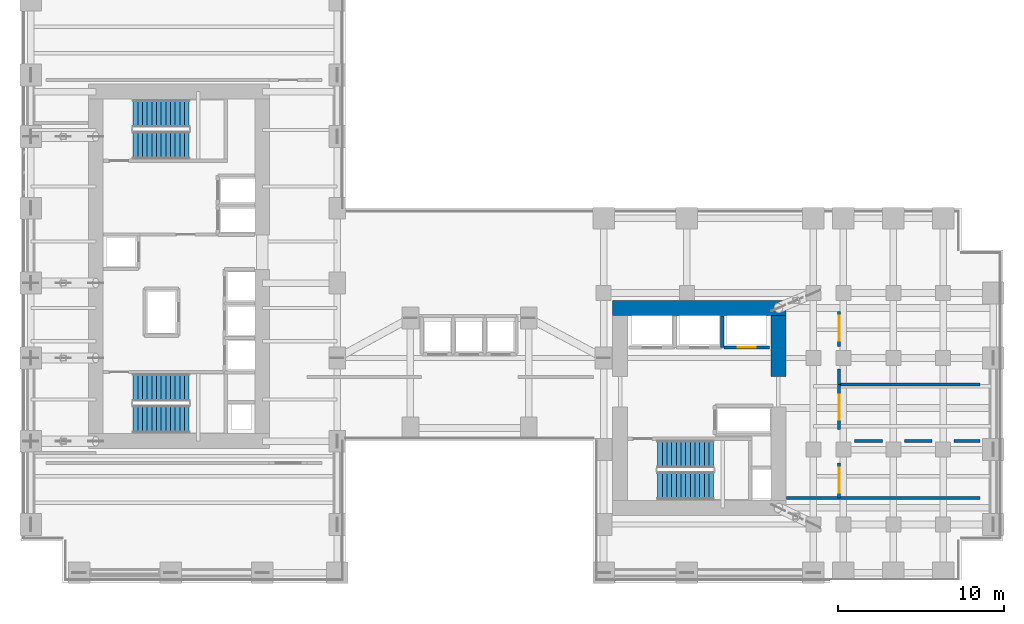
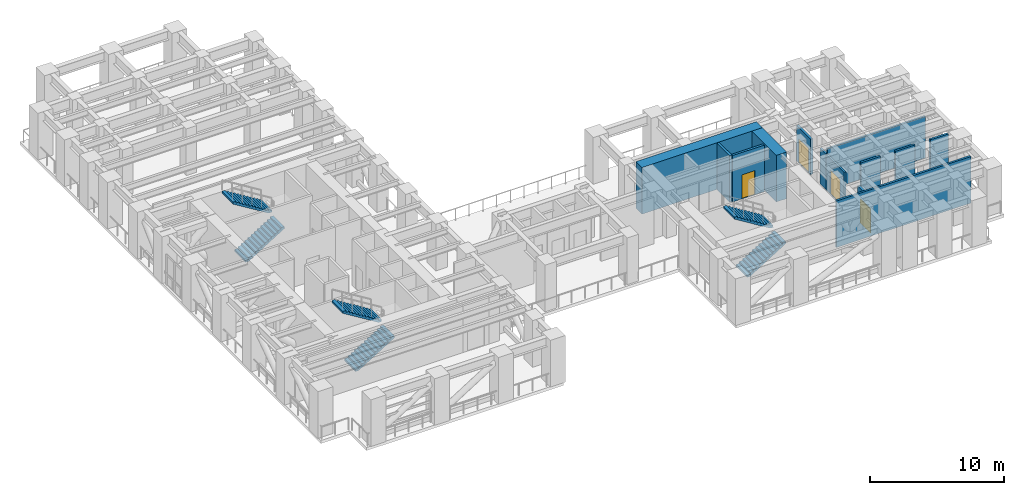
# One storey, part 11 of 16: 13 walls, 6 stair flights, 4 doors, 4 openings, 3 elements without a shape of their own.
"""IFC4 building model written with IfcOpenShell, lengths in metres."""

from ifc_helpers import new_model, si_unit, direction, frame, frame_2d, origin, place, context, subcontext, project, spatial, polyline, rectangle, outline, extrude, source, transform, mapped, material, layer, layer_set, type_object, element, fill, aggregate, save


model = new_model("IFC4")

# Units and contexts
model_context = context("Model", 3, precision=1e-05, world=origin(), true_north=direction((0.0, 1.0)))
body_context = subcontext(model_context, "Body", "Model", "MODEL_VIEW")
ifc_project = project(units=[si_unit("LENGTHUNIT", "METRE"), si_unit("AREAUNIT", "SQUARE_METRE"), si_unit("VOLUMEUNIT", "CUBIC_METRE"), si_unit("PLANEANGLEUNIT", "RADIAN"), si_unit("MASSUNIT", "GRAM", prefix="KILO")], contexts=[model_context])

# Site, building, storey
site_placement = place(None, origin())
site = spatial("IfcSite", under=ifc_project, at=site_placement, CompositionType="ELEMENT")
building_placement = place(site_placement, origin())
building = spatial("IfcBuilding", under=site, at=building_placement, Name="Kharzan Plaza Tower", CompositionType="ELEMENT")
storey_placement = place(building_placement, frame((0.0, 0.0, 72.89990234375)))
storey = spatial("IfcBuildingStorey", under=building, at=storey_placement, Name="L19", CompositionType="ELEMENT", Elevation=72.89990234375)

# Wall, opening, door
ifc_material_1 = material(Name="Concrete C40/50", Category="concrete")
ifc_layer_1 = layer(ifc_material_1, 0.179931640625)
ifc_layer_set_1 = layer_set([ifc_layer_1], Name="Concrete C40/50")
wall_type_1 = type_object("IfcWallType", Name="WL-INT-FIRE-180", PredefinedType="PARTITIONING", material=ifc_layer_set_1)
wall_1_placement = place(storey_placement, frame((49.14990234375, 9.199951171875, 0.0), z_axis=(0.0, 0.0, 1.0), x_axis=(0.0, 1.0, 0.0)))
wall_1 = element("IfcWall", 1, at=wall_1_placement, inside=storey, type_object=wall_type_1, Name="L19 Interior Partition MR-BMS", PredefinedType="PARTITIONING", context=body_context, shape_type="SweptSolid", body=[
    extrude(rectangle(XDim=2.699951171875, YDim=0.179931640625, at=frame_2d((1.35009765625, 0.0))), origin(), (0.0, 0.0, 1.0), 3.2451171875),
])
opening_1_placement = place(wall_1_placement, frame((0.60009765625, 0.0, 0.0)))
opening_1 = element("IfcOpeningElement", 2, at=opening_1_placement, cuts=wall_1, Name="Opening PD1", PredefinedType="OPENING", context=body_context, shape_type="SweptSolid", body=[
    extrude(rectangle(XDim=1.5, YDim=2.199951171875, at=frame_2d((0.75, 1.10009765625))), frame((0.0, 0.099853515625, 0.0), z_axis=(0.0, -1.0, 0.0), x_axis=(1.0, 0.0, 0.0)), (0.0, 0.0, 1.0), 0.199951171875),
])
ifc_material_2 = material(Name="Galvanized Louvred Acoustic Steel", Category="steel")
door_type_1 = type_object("IfcDoorType", Name="DR-PLANT-DBL", OperationType="DOUBLE_DOOR_SINGLE_SWING", PredefinedType="DOOR", material=ifc_material_2)
shared_shape_1 = source(origin(), body_context, "Body", "SweptSolid", [
    extrude(rectangle(XDim=1.5, YDim=2.199951171875, at=frame_2d((0.75, 1.10009765625))), frame((0.0, 0.02490234375, 0.0), z_axis=(0.0, -1.0, 0.0), x_axis=(1.0, 0.0, 0.0)), (0.0, 0.0, 1.0), 0.050048828125),
])
door_1_placement = place(opening_1_placement, origin())
door_1 = element("IfcDoor", 3, at=door_1_placement, inside=storey, type_object=door_type_1, Name="L19 BMS Controls Plant Room Door", OperationType="DOUBLE_DOOR_SINGLE_SWING", OverallHeight=2.199951171875, OverallWidth=1.5, PredefinedType="DOOR", context=body_context, shape_type="MappedRepresentation", body=[
    mapped(shared_shape_1, transform((0.0, 0.0, 0.0), x_axis=(1.0, 0.0, 0.0), y_axis=(0.0, 1.0, 0.0), z_axis=(0.0, 0.0, 1.0))),
])
fill(opening_1, door_1)

wall_2_placement = place(storey_placement, frame((49.14990234375, 5.10009765625, 0.0), z_axis=(0.0, 0.0, 1.0), x_axis=(0.0, 1.0, 0.0)))
wall_2 = element("IfcWall", 4, at=wall_2_placement, inside=storey, type_object=wall_type_1, Name="L19 Interior Partition MR-PMP", PredefinedType="PARTITIONING", context=body_context, shape_type="SweptSolid", body=[
    extrude(rectangle(XDim=2.099853515625, YDim=0.179931640625, at=frame_2d((1.0498046875, 0.0))), origin(), (0.0, 0.0, 1.0), 3.2451171875),
])
opening_2_placement = place(wall_2_placement, frame((0.300048828125, 0.0, 0.0)))
opening_2 = element("IfcOpeningElement", 5, at=opening_2_placement, cuts=wall_2, Name="Opening PD1", PredefinedType="OPENING", context=body_context, shape_type="SweptSolid", body=[
    extrude(rectangle(XDim=1.5, YDim=2.199951171875, at=frame_2d((0.75, 1.10009765625))), frame((0.0, 0.099853515625, 0.0), z_axis=(0.0, -1.0, 0.0), x_axis=(1.0, 0.0, 0.0)), (0.0, 0.0, 1.0), 0.199951171875),
])
door_2_placement = place(opening_2_placement, origin())
door_2 = element("IfcDoor", 6, at=door_2_placement, inside=storey, type_object=door_type_1, Name="L19 Booster Pump Room Door", OperationType="DOUBLE_DOOR_SINGLE_SWING", OverallHeight=2.199951171875, OverallWidth=1.5, PredefinedType="DOOR", context=body_context, shape_type="MappedRepresentation", body=[
    mapped(shared_shape_1, transform((0.0, 0.0, 0.0), x_axis=(1.0, 0.0, 0.0), y_axis=(0.0, 1.0, 0.0), z_axis=(0.0, 0.0, 1.0))),
])
fill(opening_2, door_2)

wall_3_placement = place(storey_placement, frame((49.14990234375, 14.199951171875, 0.0), z_axis=(0.0, 0.0, 1.0), x_axis=(0.0, 1.0, 0.0)))
wall_3 = element("IfcWall", 7, at=wall_3_placement, inside=storey, type_object=wall_type_1, Name="L19 Interior Partition MR-SUB", PredefinedType="PARTITIONING", context=body_context, shape_type="SweptSolid", body=[
    extrude(rectangle(XDim=2.10009765625, YDim=0.179931640625, at=frame_2d((1.050048828125, 0.0))), origin(), (0.0, 0.0, 1.0), 3.2451171875),
])
opening_3_placement = place(wall_3_placement, frame((0.340087890625, 0.0, 0.0)))
opening_3 = element("IfcOpeningElement", 8, at=opening_3_placement, cuts=wall_3, Name="Opening PD1", PredefinedType="OPENING", context=body_context, shape_type="SweptSolid", body=[
    extrude(rectangle(XDim=1.5, YDim=2.199951171875, at=frame_2d((0.75, 1.10009765625))), frame((0.0, 0.099853515625, 0.0), z_axis=(0.0, -1.0, 0.0), x_axis=(1.0, 0.0, 0.0)), (0.0, 0.0, 1.0), 0.199951171875),
])
door_3_placement = place(opening_3_placement, origin())
door_3 = element("IfcDoor", 9, at=door_3_placement, inside=storey, type_object=door_type_1, Name="L19 Transformer Plant Room Door", OperationType="DOUBLE_DOOR_SINGLE_SWING", OverallHeight=2.199951171875, OverallWidth=1.5, PredefinedType="DOOR", context=body_context, shape_type="MappedRepresentation", body=[
    mapped(shared_shape_1, transform((0.0, 0.0, 0.0), x_axis=(1.0, 0.0, 0.0), y_axis=(0.0, 1.0, 0.0), z_axis=(0.0, 0.0, 1.0))),
])
fill(opening_3, door_3)

ifc_layer_2 = layer(ifc_material_1, 0.199951171875)
ifc_layer_set_2 = layer_set([ifc_layer_2], Name="Concrete C40/50")
wall_type_2 = type_object("IfcWallType", Name="WL-INT-SHAFT-200", PredefinedType="PARTITIONING", material=ifc_layer_set_2)
wall_4_placement = place(storey_placement, frame((42.22998046875, 14.1298828125, 0.0), z_axis=(0.0, 0.0, 1.0), x_axis=(1.0, 0.0, 0.0)))
wall_4 = element("IfcWall", 10, at=wall_4_placement, inside=storey, type_object=wall_type_2, Name="L19 Interior Partition SHF-PL-L3-S", PredefinedType="PARTITIONING", context=body_context, shape_type="SweptSolid", body=[
    extrude(rectangle(XDim=2.739990234375, YDim=0.199951171875, at=frame_2d((1.3701171875, 0.0))), origin(), (0.0, 0.0, 1.0), 4.2451171875),
])
opening_4_placement = place(wall_4_placement, frame((0.820068359375, 0.0, 0.0)))
opening_4 = element("IfcOpeningElement", 11, at=opening_4_placement, cuts=wall_4, Name="Opening LD", PredefinedType="OPENING", context=body_context, shape_type="SweptSolid", body=[
    extrude(rectangle(XDim=1.10009765625, YDim=2.199951171875, at=frame_2d((0.550048828125, 1.10009765625))), frame((0.0, 0.10986328125, 0.0), z_axis=(0.0, -1.0, 0.0), x_axis=(1.0, 0.0, 0.0)), (0.0, 0.0, 1.0), 0.219970703125),
])
ifc_material_3 = material(Name="Brushed Stainless Steel", Category="steel")
door_type_2 = type_object("IfcDoorType", Name="DR-LIFT-SLIDE", OperationType="SLIDING_TO_LEFT", PredefinedType="DOOR", material=ifc_material_3)
shared_shape_2 = source(origin(), body_context, "Body", "SweptSolid", [
    extrude(rectangle(XDim=1.10009765625, YDim=2.199951171875, at=frame_2d((0.550048828125, 1.10009765625))), frame((0.0, 0.02490234375, 0.0), z_axis=(0.0, -1.0, 0.0), x_axis=(1.0, 0.0, 0.0)), (0.0, 0.0, 1.0), 0.050048828125),
])
door_4_placement = place(opening_4_placement, origin())
door_4 = element("IfcDoor", 12, at=door_4_placement, inside=storey, type_object=door_type_2, Name="L19 Low-Rise Passenger Lift PL-L3 Sliding Landing Door", OperationType="SLIDING_TO_LEFT", OverallHeight=2.199951171875, OverallWidth=1.10009765625, PredefinedType="DOOR", context=body_context, shape_type="MappedRepresentation", body=[
    mapped(shared_shape_2, transform((0.0, 0.0, 0.0), x_axis=(1.0, 0.0, 0.0), y_axis=(0.0, 1.0, 0.0), z_axis=(0.0, 0.0, 1.0))),
])
fill(opening_4, door_4)

# Walls
ifc_material_4 = material(Name="Concrete C60/75", Category="concrete")
ifc_layer_3 = layer(ifc_material_4, 0.89990234375)
ifc_layer_set_3 = layer_set([ifc_layer_3], Name="Concrete C60/75")
wall_type_3 = type_object("IfcWallType", Name="WL-CORE-900", PredefinedType="SHEAR", material=ifc_layer_set_3)
shared_shape_3 = source(origin(), body_context, "Body", "SweptSolid", [
    extrude(rectangle(XDim=3.650146484375, YDim=0.89990234375, at=frame_2d((1.8251953125, 0.0))), origin(), (0.0, 0.0, 1.0), 4.260009765625),
])
wall_5_placement = place(storey_placement, frame((45.5, 12.39990234375, 0.0), z_axis=(0.0, 0.0, 1.0), x_axis=(0.0, 1.0, 0.0)))
element("IfcWall", 13, at=wall_5_placement, inside=storey, type_object=wall_type_3, Name="L19 CORE-B east shear pier 2", PredefinedType="SHEAR", context=body_context, shape_type="MappedRepresentation", body=[
    mapped(shared_shape_3, transform((0.0, 0.0, 0.0), x_axis=(1.0, 0.0, 0.0), y_axis=(0.0, 1.0, 0.0), z_axis=(0.0, 0.0, 1.0))),
])
shared_shape_4 = source(origin(), body_context, "Body", "SweptSolid", [
    extrude(rectangle(XDim=10.39990234375, YDim=0.89990234375, at=frame_2d((5.199951171875, 0.0))), origin(), (0.0, 0.0, 1.0), 4.260009765625),
])
wall_6_placement = place(storey_placement, frame((35.550048828125, 16.5, 0.0), z_axis=(0.0, 0.0, 1.0), x_axis=(1.0, 0.0, 0.0)))
element("IfcWall", 14, at=wall_6_placement, inside=storey, type_object=wall_type_3, Name="L19 CORE-B north RC shear wall", PredefinedType="SHEAR", context=body_context, shape_type="MappedRepresentation", body=[
    mapped(shared_shape_4, transform((0.0, 0.0, 0.0), x_axis=(1.0, 0.0, 0.0), y_axis=(0.0, 1.0, 0.0), z_axis=(0.0, 0.0, 1.0))),
])
shared_shape_5 = source(origin(), body_context, "Body", "SweptSolid", [
    extrude(rectangle(XDim=8.4501953125, YDim=0.179931640625, at=frame_2d((4.22509765625, 0.0))), origin(), (0.0, 0.0, 1.0), 3.776123046875),
])
wall_7_placement = place(storey_placement, frame((49.14990234375, 11.89990234375, 0.0), z_axis=(0.0, 0.0, 1.0), x_axis=(1.0, 0.0, 0.0)))
element("IfcWall", 15, at=wall_7_placement, inside=storey, type_object=wall_type_1, Name="L19 Interior Partition MR-BMSM", PredefinedType="PARTITIONING", context=body_context, shape_type="MappedRepresentation", body=[
    mapped(shared_shape_5, transform((0.0, 0.0, 0.0), x_axis=(1.0, 0.0, 0.0), y_axis=(0.0, 1.0, 0.0), z_axis=(0.0, 0.0, 1.0))),
])
shared_shape_6 = source(origin(), body_context, "Body", "SweptSolid", [
    extrude(rectangle(XDim=11.6201171875, YDim=0.179931640625, at=frame_2d((5.81005859375, 0.0))), origin(), (0.0, 0.0, 1.0), 4.2451171875),
])
wall_8_placement = place(storey_placement, frame((45.97998046875, 5.10009765625, 0.0), z_axis=(0.0, 0.0, 1.0), x_axis=(1.0, 0.0, 0.0)))
element("IfcWall", 16, at=wall_8_placement, inside=storey, type_object=wall_type_1, Name="L19 Interior Partition MR-OTBE", PredefinedType="PARTITIONING", context=body_context, shape_type="MappedRepresentation", body=[
    mapped(shared_shape_6, transform((0.0, 0.0, 0.0), x_axis=(1.0, 0.0, 0.0), y_axis=(0.0, 1.0, 0.0), z_axis=(0.0, 0.0, 1.0))),
])
shared_shape_7 = source(origin(), body_context, "Body", "SweptSolid", [
    extrude(rectangle(XDim=1.679931640625, YDim=0.179931640625, at=frame_2d((0.83984375, 0.0))), origin(), (0.0, 0.0, 1.0), 4.2451171875),
])
for number, where, z_axis, x_axis, name in (
    (17, (50.06005859375, 8.5, 0.0), (0.0, 0.0, 1.0), (1.0, 0.0, 0.0), "L19 Interior Partition MR-PMPM-S1"),
    (18, (53.06005859375, 8.5, 0.0), (0.0, 0.0, 1.0), (1.0, 0.0, 0.0), "L19 Interior Partition MR-PMPM-S2"),
):
    element("IfcWall", number, at=place(storey_placement, frame(where, z_axis=z_axis, x_axis=x_axis)), inside=storey, type_object=wall_type_1, Name=name, PredefinedType="PARTITIONING", context=body_context, shape_type="MappedRepresentation", body=[
        mapped(shared_shape_7, transform((0.0, 0.0, 0.0), x_axis=(1.0, 0.0, 0.0), y_axis=(0.0, 1.0, 0.0), z_axis=(0.0, 0.0, 1.0))),
    ])
shared_shape_8 = source(origin(), body_context, "Body", "SweptSolid", [
    extrude(rectangle(XDim=1.5400390625, YDim=0.179931640625, at=frame_2d((0.77001953125, 0.0))), origin(), (0.0, 0.0, 1.0), 4.2451171875),
])
wall_9_placement = place(storey_placement, frame((56.06005859375, 8.5, 0.0), z_axis=(0.0, 0.0, 1.0), x_axis=(1.0, 0.0, 0.0)))
element("IfcWall", 19, at=wall_9_placement, inside=storey, type_object=wall_type_1, Name="L19 Interior Partition MR-PMPM-S3", PredefinedType="PARTITIONING", context=body_context, shape_type="MappedRepresentation", body=[
    mapped(shared_shape_8, transform((0.0, 0.0, 0.0), x_axis=(1.0, 0.0, 0.0), y_axis=(0.0, 1.0, 0.0), z_axis=(0.0, 0.0, 1.0))),
])
shared_shape_9 = source(origin(), body_context, "Body", "SweptSolid", [
    extrude(rectangle(XDim=0.940185546875, YDim=0.179931640625, at=frame_2d((0.47021484375, 0.0))), origin(), (0.0, 0.0, 1.0), 3.2451171875),
])
wall_10_placement = place(storey_placement, frame((49.14990234375, 11.89990234375, 0.0), z_axis=(0.0, 0.0, 1.0), x_axis=(0.0, 1.0, 0.0)))
element("IfcWall", 20, at=wall_10_placement, inside=storey, type_object=wall_type_1, Name="L19 Interior Partition MR-SUBS", PredefinedType="PARTITIONING", context=body_context, shape_type="MappedRepresentation", body=[
    mapped(shared_shape_9, transform((0.0, 0.0, 0.0), x_axis=(1.0, 0.0, 0.0), y_axis=(0.0, 1.0, 0.0), z_axis=(0.0, 0.0, 1.0))),
])
shared_shape_10 = source(origin(), body_context, "Body", "SweptSolid", [
    extrude(rectangle(XDim=1.89013671875, YDim=0.199951171875, at=frame_2d((0.945068359375, 0.0))), origin(), (0.0, 0.0, 1.0), 4.2451171875),
])
wall_11_placement = place(storey_placement, frame((42.1201171875, 14.1298828125, 0.0), z_axis=(0.0, 0.0, 1.0), x_axis=(0.0, 1.0, 0.0)))
element("IfcWall", 21, at=wall_11_placement, inside=storey, type_object=wall_type_2, Name="L19 Interior Partition SHF-PL-L2-E", PredefinedType="PARTITIONING", context=body_context, shape_type="MappedRepresentation", body=[
    mapped(shared_shape_10, transform((0.0, 0.0, 0.0), x_axis=(1.0, 0.0, 0.0), y_axis=(0.0, 1.0, 0.0), z_axis=(0.0, 0.0, 1.0))),
])

# Stair, stair flights
stair_type_1 = type_object("IfcStairType", Name="STR-ST-1", PredefinedType="HALF_TURN_STAIR", material=ifc_material_1)
stair_1_placement = place(storey_placement, origin())
stair_1 = element("IfcStair", 22, at=stair_1_placement, inside=storey, type_object=stair_type_1, Name="L19 Protected Exit Stair ST-1", PredefinedType="HALF_TURN_STAIR")
stair_flight_type = type_object("IfcStairFlightType", Name="SFL-1650-R173", PredefinedType="STRAIGHT", material=ifc_material_1)
shared_shape_11 = source(origin(), body_context, "Body", "SweptSolid", [
    extrude(outline(polyline([(-0.0029296875, -0.011962890625), (-0.0029296875, 0.0), (0.0, 0.0), (0.0, 0.173095703125), (0.280029296875, 0.173095703125), (0.280029296875, 0.34619140625), (0.56005859375, 0.34619140625), (0.56005859375, 0.519287109375), (0.840087890625, 0.519287109375), (0.840087890625, 0.6923828125), (1.1201171875, 0.6923828125), (1.1201171875, 0.865478515625), (1.400146484375, 0.865478515625), (1.400146484375, 1.03857421875), (1.68017578125, 1.03857421875), (1.68017578125, 1.211669921875), (1.960205078125, 1.211669921875), (1.960205078125, 1.384765625), (2.240234375, 1.384765625), (2.240234375, 1.557861328125), (2.520263671875, 1.557861328125), (2.520263671875, 1.73095703125), (2.80029296875, 1.73095703125), (2.80029296875, 1.904052734375), (3.080322265625, 1.904052734375), (3.080322265625, 2.0771484375), (3.3603515625, 2.0771484375), (3.3603515625, 2.250244140625), (3.3603515625, 1.90087890625), (0.28515625, 0.0), (0.28515625, -0.011962890625), (-0.0029296875, -0.011962890625)])), frame((0.0, 0.824951171875, 0.0), z_axis=(0.0, -1.0, 0.0), x_axis=(1.0, 0.0, 0.0)), (0.0, 0.0, 1.0), 1.64990234375),
])
stair_flight_1_placement = place(storey_placement, frame((6.75, 9.824951171875, 0.0), z_axis=(0.0, 0.0, 1.0), x_axis=(1.0, 0.0, 0.0)))
stair_flight_1 = element("IfcStairFlight", 23, at=stair_flight_1_placement, type_object=stair_flight_type, Name="ST-1 flight 1", NumberOfRisers=13, NumberOfTreads=12, PredefinedType="STRAIGHT", RiserHeight=0.173076923, TreadLength=0.28, context=body_context, shape_type="MappedRepresentation", body=[
    mapped(shared_shape_11, transform((0.0, 0.0, 0.0), x_axis=(1.0, 0.0, 0.0), y_axis=(0.0, 1.0, 0.0), z_axis=(0.0, 0.0, 1.0))),
])
stair_flight_2_placement = place(storey_placement, frame((10.110107421875, 11.72509765625, 2.25), z_axis=(0.0, 0.0, 1.0), x_axis=(-1.0, 0.0, 0.0)))
stair_flight_2 = element("IfcStairFlight", 24, at=stair_flight_2_placement, type_object=stair_flight_type, Name="ST-1 flight 2", NumberOfRisers=13, NumberOfTreads=12, PredefinedType="STRAIGHT", RiserHeight=0.173076923, TreadLength=0.28, context=body_context, shape_type="MappedRepresentation", body=[
    mapped(shared_shape_11, transform((0.0, 0.0, 0.0), x_axis=(1.0, 0.0, 0.0), y_axis=(0.0, 1.0, 0.0), z_axis=(0.0, 0.0, 1.0))),
])
aggregate(stair_1, [stair_flight_1, stair_flight_2])

stair_type_2 = type_object("IfcStairType", Name="STR-ST-2", PredefinedType="HALF_TURN_STAIR", material=ifc_material_1)
stair_2_placement = place(storey_placement, origin())
stair_2 = element("IfcStair", 25, at=stair_2_placement, inside=storey, type_object=stair_type_2, Name="L19 Protected Exit Stair ST-2", PredefinedType="HALF_TURN_STAIR")
stair_flight_3_placement = place(storey_placement, frame((6.75, 26.27490234375, 0.0), z_axis=(0.0, 0.0, 1.0), x_axis=(1.0, 0.0, 0.0)))
stair_flight_3 = element("IfcStairFlight", 26, at=stair_flight_3_placement, type_object=stair_flight_type, Name="ST-2 flight 1", NumberOfRisers=13, NumberOfTreads=12, PredefinedType="STRAIGHT", RiserHeight=0.173076923, TreadLength=0.28, context=body_context, shape_type="MappedRepresentation", body=[
    mapped(shared_shape_11, transform((0.0, 0.0, 0.0), x_axis=(1.0, 0.0, 0.0), y_axis=(0.0, 1.0, 0.0), z_axis=(0.0, 0.0, 1.0))),
])
stair_flight_4_placement = place(storey_placement, frame((10.110107421875, 28.175048828125, 2.25), z_axis=(0.0, 0.0, 1.0), x_axis=(-1.0, 0.0, 0.0)))
stair_flight_4 = element("IfcStairFlight", 27, at=stair_flight_4_placement, type_object=stair_flight_type, Name="ST-2 flight 2", NumberOfRisers=13, NumberOfTreads=12, PredefinedType="STRAIGHT", RiserHeight=0.173076923, TreadLength=0.28, context=body_context, shape_type="MappedRepresentation", body=[
    mapped(shared_shape_11, transform((0.0, 0.0, 0.0), x_axis=(1.0, 0.0, 0.0), y_axis=(0.0, 1.0, 0.0), z_axis=(0.0, 0.0, 1.0))),
])
aggregate(stair_2, [stair_flight_3, stair_flight_4])

stair_type_3 = type_object("IfcStairType", Name="STR-ST-3", PredefinedType="HALF_TURN_STAIR", material=ifc_material_1)
stair_3_placement = place(storey_placement, origin())
stair_3 = element("IfcStair", 28, at=stair_3_placement, inside=storey, type_object=stair_type_3, Name="L19 Protected Exit Stair ST-3", PredefinedType="HALF_TURN_STAIR")
stair_flight_5_placement = place(storey_placement, frame((38.25, 5.824951171875, 0.0), z_axis=(0.0, 0.0, 1.0), x_axis=(1.0, 0.0, 0.0)))
stair_flight_5 = element("IfcStairFlight", 29, at=stair_flight_5_placement, type_object=stair_flight_type, Name="ST-3 flight 1", NumberOfRisers=13, NumberOfTreads=12, PredefinedType="STRAIGHT", RiserHeight=0.173076923, TreadLength=0.28, context=body_context, shape_type="MappedRepresentation", body=[
    mapped(shared_shape_11, transform((0.0, 0.0, 0.0), x_axis=(1.0, 0.0, 0.0), y_axis=(0.0, 1.0, 0.0), z_axis=(0.0, 0.0, 1.0))),
])
stair_flight_6_placement = place(storey_placement, frame((41.610107421875, 7.72509765625, 2.25), z_axis=(0.0, 0.0, 1.0), x_axis=(-1.0, 0.0, 0.0)))
stair_flight_6 = element("IfcStairFlight", 30, at=stair_flight_6_placement, type_object=stair_flight_type, Name="ST-3 flight 2", NumberOfRisers=13, NumberOfTreads=12, PredefinedType="STRAIGHT", RiserHeight=0.173076923, TreadLength=0.28, context=body_context, shape_type="MappedRepresentation", body=[
    mapped(shared_shape_11, transform((0.0, 0.0, 0.0), x_axis=(1.0, 0.0, 0.0), y_axis=(0.0, 1.0, 0.0), z_axis=(0.0, 0.0, 1.0))),
])
aggregate(stair_3, [stair_flight_5, stair_flight_6])

save(model, "model.ifc")
